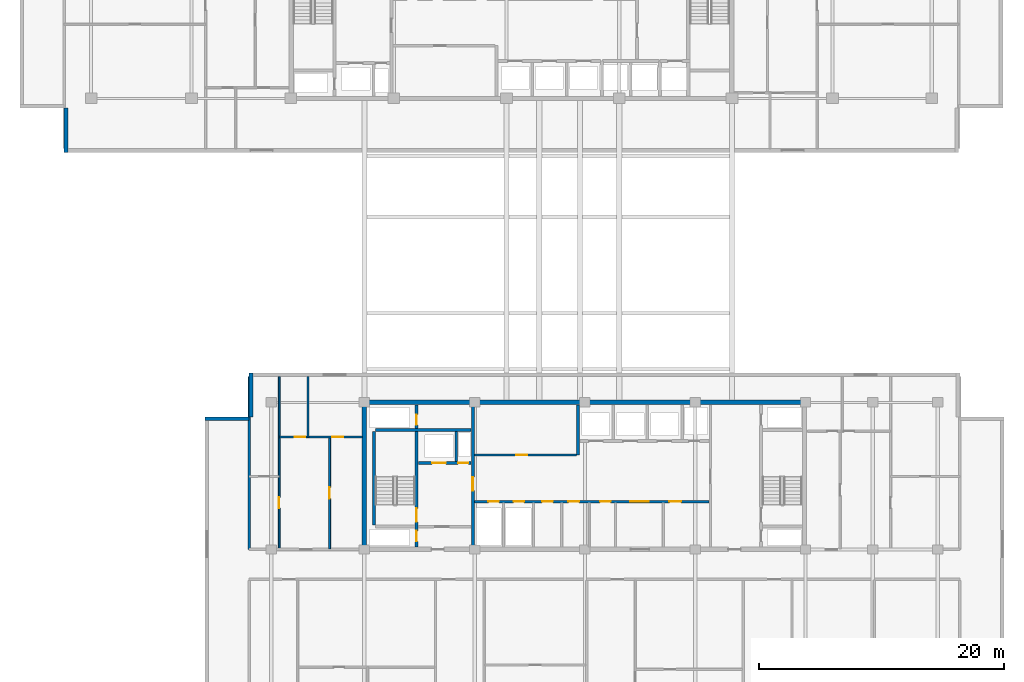
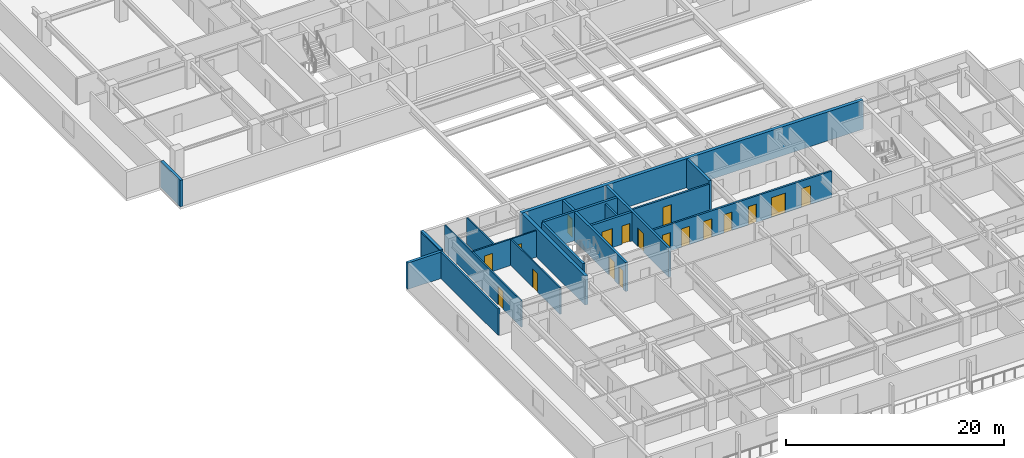
# One storey, part 6 of 21: 19 walls, 18 doors, 18 openings.
"""IFC4 building model written with IfcOpenShell, lengths in metres."""

from ifc_helpers import new_model, si_unit, direction, frame, frame_2d, origin, place, context, subcontext, project, spatial, rectangle, extrude, material, layer, layer_set, type_object, element, fill, save


model = new_model("IFC4")

# Units and contexts
model_context = context("Model", 3, precision=1e-05, world=origin(), true_north=direction((0.0, 1.0)))
body_context = subcontext(model_context, "Body", "Model", "MODEL_VIEW")
ifc_project = project(units=[si_unit("LENGTHUNIT", "METRE"), si_unit("AREAUNIT", "SQUARE_METRE"), si_unit("VOLUMEUNIT", "CUBIC_METRE"), si_unit("PLANEANGLEUNIT", "RADIAN"), si_unit("MASSUNIT", "GRAM", prefix="KILO")], contexts=[model_context])

# Site, building, storey
site_placement = place(None, origin())
site = spatial("IfcSite", under=ifc_project, at=site_placement, CompositionType="ELEMENT")
building_placement = place(site_placement, origin())
building = spatial("IfcBuilding", under=site, at=building_placement, Name="Korimba Cascade Residences", CompositionType="ELEMENT")
storey_placement = place(building_placement, frame((0.0, 0.0, 136.050048828125)))
storey = spatial("IfcBuildingStorey", under=building, at=storey_placement, Name="L39", CompositionType="ELEMENT", Elevation=136.050048828125)

# Walls
ifc_material_1 = material(Name="Precast concrete C40/50", Category="concrete")
ifc_layer_1 = layer(ifc_material_1, 0.300048828125)
ifc_layer_set_1 = layer_set([ifc_layer_1], Name="Precast concrete C40/50")
wall_type_1 = type_object("IfcWallType", Name="EW-STONE-300", PredefinedType="STANDARD", material=ifc_layer_set_1)
wall_1_placement = place(storey_placement, frame((57.75, 54.39990234375, 0.0), z_axis=(0.0, 0.0, 1.0), x_axis=(0.0, -1.0, 0.0)))
element("IfcWall", 1, at=wall_1_placement, inside=storey, type_object=wall_type_1, Name="L39 T1 Perimeter Stone Wall E11", PredefinedType="STANDARD", context=body_context, shape_type="SweptSolid", body=[
    extrude(rectangle(XDim=3.599853515625, YDim=0.300048828125, at=frame_2d((1.7998046875, 0.0))), origin(), (0.0, 0.0, 1.0), 2.9599609375),
])
wall_2_placement = place(storey_placement, frame((72.85009765625, 32.800048828125, 0.0), z_axis=(0.0, 0.0, 1.0), x_axis=(0.0, -1.0, 0.0)))
element("IfcWall", 2, at=wall_2_placement, inside=storey, type_object=wall_type_1, Name="L39 T2 Perimeter Stone Wall E07", PredefinedType="STANDARD", context=body_context, shape_type="SweptSolid", body=[
    extrude(rectangle(XDim=3.60009765625, YDim=0.300048828125, at=frame_2d((1.800048828125, 0.0))), origin(), (0.0, 0.0, 1.0), 2.9599609375),
])
wall_3_placement = place(storey_placement, frame((72.699951171875, 29.050048828125, 0.0), z_axis=(0.0, 0.0, 1.0), x_axis=(-1.0, 0.0, 0.0)))
element("IfcWall", 3, at=wall_3_placement, inside=storey, type_object=wall_type_1, Name="L39 T2 Perimeter Stone Wall E08", PredefinedType="STANDARD", context=body_context, shape_type="SweptSolid", body=[
    extrude(rectangle(XDim=3.599853515625, YDim=0.300048828125, at=frame_2d((1.7998046875, 0.0))), origin(), (0.0, 0.0, 1.0), 2.9599609375),
])
ifc_material_2 = material(Name="Concrete C65/80", Category="concrete")
ifc_layer_2 = layer(ifc_material_2, 0.35009765625)
ifc_layer_set_2 = layer_set([ifc_layer_2], Name="Concrete C65/80")
wall_type_2 = type_object("IfcWallType", Name="WAL-CORE-350", PredefinedType="SHEAR", material=ifc_layer_set_2)
wall_4_placement = place(storey_placement, frame((81.925048828125, 30.39990234375, 0.0), z_axis=(0.0, 0.0, 1.0), x_axis=(1.0, 0.0, 0.0)))
element("IfcWall", 4, at=wall_4_placement, inside=storey, type_object=wall_type_2, Name="L39 Core Shear Wall CW-L39-T2-N", PredefinedType="SHEAR", context=body_context, shape_type="SweptSolid", body=[
    extrude(rectangle(XDim=36.264892578125, YDim=0.35009765625, at=frame_2d((18.13232421875, 0.0))), origin(), (0.0, 0.0, 1.0), 3.25),
])
wall_5_placement = place(storey_placement, frame((82.10009765625, 18.574951171875, 0.0), z_axis=(0.0, 0.0, 1.0), x_axis=(0.0, 1.0, 0.0)))
element("IfcWall", 5, at=wall_5_placement, inside=storey, type_object=wall_type_2, Name="L39 Core Shear Wall CW-L39-T2-W", PredefinedType="SHEAR", context=body_context, shape_type="SweptSolid", body=[
    extrude(rectangle(XDim=11.650146484375, YDim=0.35009765625, at=frame_2d((5.8251953125, 0.0))), origin(), (0.0, 0.0, 1.0), 3.25),
])
ifc_layer_3 = layer(ifc_material_1, 0.199951171875)
ifc_layer_set_3 = layer_set([ifc_layer_3], Name="Precast concrete C40/50")
wall_type_3 = type_object("IfcWallType", Name="WAL-IT-200", PredefinedType="PARTITIONING", material=ifc_layer_set_3)
wall_6_placement = place(storey_placement, frame((72.699951171875, 18.39990234375, 0.0), z_axis=(0.0, 0.0, 1.0), x_axis=(0.0, 1.0, 0.0)))
element("IfcWall", 6, at=wall_6_placement, inside=storey, type_object=wall_type_3, Name="L39 Partition Wall WAL-L39-T2-FW-WL", PredefinedType="PARTITIONING", context=body_context, shape_type="SweptSolid", body=[
    extrude(rectangle(XDim=14.10009765625, YDim=0.199951171875, at=frame_2d((7.050048828125, 0.0))), origin(), (0.0, 0.0, 1.0), 2.9599609375),
])

# Wall, opening, door
ifc_material_3 = material(Name="Insulated Acoustic Stud Partition", Category="gypsum")
ifc_layer_4 = layer(ifc_material_3, 0.14990234375)
ifc_layer_set_4 = layer_set([ifc_layer_4], Name="Insulated Acoustic Stud Partition")
wall_type_4 = type_object("IfcWallType", Name="WAL-PART-150", PredefinedType="PARTITIONING", material=ifc_layer_set_4)
wall_7_placement = place(storey_placement, frame((75.14990234375, 18.449951171875, 0.0), z_axis=(0.0, 0.0, 1.0), x_axis=(0.0, 1.0, 0.0)))
wall_7 = element("IfcWall", 7, at=wall_7_placement, inside=storey, type_object=wall_type_4, Name="L39 Partition Wall WAL-L39-T2-FW-STV", PredefinedType="PARTITIONING", context=body_context, shape_type="SweptSolid", body=[
    extrude(rectangle(XDim=14.050048828125, YDim=0.14990234375, at=frame_2d((7.02490234375, 0.0))), origin(), (0.0, 0.0, 1.0), 2.9599609375),
])
opening_1_placement = place(wall_7_placement, frame((3.320068359375, 0.0, 0.0)))
opening_1 = element("IfcOpeningElement", 8, at=opening_1_placement, cuts=wall_7, Name="Opening D-IN2", PredefinedType="OPENING", context=body_context, shape_type="SweptSolid", body=[
    extrude(rectangle(XDim=0.8798828125, YDim=2.06005859375, at=frame_2d((0.43994140625, 1.030029296875))), frame((0.0, 0.0849609375, 0.0), z_axis=(0.0, -1.0, 0.0), x_axis=(1.0, 0.0, 0.0)), (0.0, 0.0, 1.0), 0.169921875),
])
ifc_material_4 = material(Name="Acoustic Timber Bedroom Door", Category="wood")
door_type_1 = type_object("IfcDoorType", Name="DR-INT-880", OperationType="NOTDEFINED", PredefinedType="DOOR", material=ifc_material_4)
door_1_placement = place(opening_1_placement, origin())
door_1 = element("IfcDoor", 9, at=door_1_placement, inside=storey, type_object=door_type_1, Name="L39-T2-FW Study Door", OperationType="SINGLE_SWING_LEFT", OverallHeight=2.06005859375, OverallWidth=0.8798828125, PredefinedType="DOOR", context=body_context, shape_type="SweptSolid", body=[
    extrude(rectangle(XDim=0.8798828125, YDim=2.06005859375, at=frame_2d((0.43994140625, 1.030029296875))), frame((0.0, 0.02490234375, 0.0), z_axis=(0.0, -1.0, 0.0), x_axis=(1.0, 0.0, 0.0)), (0.0, 0.0, 1.0), 0.050048828125),
])
fill(opening_1, door_1)

wall_8_placement = place(storey_placement, frame((79.27001953125, 18.449951171875, 0.0), z_axis=(0.0, 0.0, 1.0), x_axis=(0.0, 1.0, 0.0)))
wall_8 = element("IfcWall", 10, at=wall_8_placement, inside=storey, type_object=wall_type_4, Name="L39 Partition Wall WAL-L39-T2-FW-VS", PredefinedType="PARTITIONING", context=body_context, shape_type="SweptSolid", body=[
    extrude(rectangle(XDim=9.1201171875, YDim=0.14990234375, at=frame_2d((4.56005859375, 0.0))), origin(), (0.0, 0.0, 1.0), 2.9599609375),
])
opening_2_placement = place(wall_8_placement, frame((4.10009765625, 0.0, 0.0)))
opening_2 = element("IfcOpeningElement", 11, at=opening_2_placement, cuts=wall_8, Name="Opening D-IN1", PredefinedType="OPENING", context=body_context, shape_type="SweptSolid", body=[
    extrude(rectangle(XDim=0.919921875, YDim=2.080078125, at=frame_2d((0.4599609375, 1.0400390625))), frame((0.0, 0.0849609375, 0.0), z_axis=(0.0, -1.0, 0.0), x_axis=(1.0, 0.0, 0.0)), (0.0, 0.0, 1.0), 0.169921875),
])
ifc_material_5 = material(Name="Acoustic Timber Living Door", Category="wood")
door_type_2 = type_object("IfcDoorType", Name="DR-INT-920", OperationType="NOTDEFINED", PredefinedType="DOOR", material=ifc_material_5)
door_2_placement = place(opening_2_placement, origin())
door_2 = element("IfcDoor", 12, at=door_2_placement, inside=storey, type_object=door_type_2, Name="L39-T2-FW Living Door", OperationType="SINGLE_SWING_RIGHT", OverallHeight=2.080078125, OverallWidth=0.919921875, PredefinedType="DOOR", context=body_context, shape_type="SweptSolid", body=[
    extrude(rectangle(XDim=0.919921875, YDim=2.080078125, at=frame_2d((0.4599609375, 1.0400390625))), frame((0.0, 0.02490234375, 0.0), z_axis=(0.0, -1.0, 0.0), x_axis=(1.0, 0.0, 0.0)), (0.0, 0.0, 1.0), 0.050048828125),
])
fill(opening_2, door_2)

# Wall
wall_9_placement = place(storey_placement, frame((77.5, 27.570068359375, 0.0), z_axis=(0.0, 0.0, 1.0), x_axis=(0.0, 1.0, 0.0)))
element("IfcWall", 13, at=wall_9_placement, inside=storey, type_object=wall_type_4, Name="L39 Partition Wall WAL-L39-T2-FW-VN", PredefinedType="PARTITIONING", context=body_context, shape_type="SweptSolid", body=[
    extrude(rectangle(XDim=4.929931640625, YDim=0.14990234375, at=frame_2d((2.46484375, 0.0))), origin(), (0.0, 0.0, 1.0), 2.9599609375),
])

# Wall, openings, doors
wall_10_placement = place(storey_placement, frame((75.169921875, 27.570068359375, 0.0), z_axis=(0.0, 0.0, 1.0), x_axis=(1.0, 0.0, 0.0)))
wall_10 = element("IfcWall", 14, at=wall_10_placement, inside=storey, type_object=wall_type_4, Name="L39 Partition Wall WAL-L39-T2-FW-H", PredefinedType="PARTITIONING", context=body_context, shape_type="SweptSolid", body=[
    extrude(rectangle(XDim=6.760009765625, YDim=0.14990234375, at=frame_2d((3.3798828125, 0.0))), origin(), (0.0, 0.0, 1.0), 2.9599609375),
])
opening_3_placement = place(wall_10_placement, frame((1.266357421875, 0.0, 0.0)))
opening_3 = element("IfcOpeningElement", 15, at=opening_3_placement, cuts=wall_10, Name="Opening D-BT1", PredefinedType="OPENING", context=body_context, shape_type="SweptSolid", body=[
    extrude(rectangle(XDim=0.840087890625, YDim=2.0400390625, at=frame_2d((0.419921875, 1.02001953125))), frame((0.0, 0.0849609375, 0.0), z_axis=(0.0, -1.0, 0.0), x_axis=(1.0, 0.0, 0.0)), (0.0, 0.0, 1.0), 0.169921875),
])
opening_4_placement = place(wall_10_placement, frame((4.320068359375, 0.0, 0.0)))
opening_4 = element("IfcOpeningElement", 16, at=opening_4_placement, cuts=wall_10, Name="Opening D-IN2", PredefinedType="OPENING", context=body_context, shape_type="SweptSolid", body=[
    extrude(rectangle(XDim=0.8798828125, YDim=2.06005859375, at=frame_2d((0.43994140625, 1.030029296875))), frame((0.0, 0.0849609375, 0.0), z_axis=(0.0, -1.0, 0.0), x_axis=(1.0, 0.0, 0.0)), (0.0, 0.0, 1.0), 0.169921875),
])
ifc_material_6 = material(Name="Moisture-Resistant Bathroom Timber Door", Category="wood")
door_type_3 = type_object("IfcDoorType", Name="DR-INT-850", OperationType="NOTDEFINED", PredefinedType="DOOR", material=ifc_material_6)
door_3_placement = place(opening_3_placement, origin())
door_3 = element("IfcDoor", 17, at=door_3_placement, inside=storey, type_object=door_type_3, Name="L39-T2-FW Bathroom Door", OperationType="SINGLE_SWING_LEFT", OverallHeight=2.0400390625, OverallWidth=0.840087890625, PredefinedType="DOOR", context=body_context, shape_type="SweptSolid", body=[
    extrude(rectangle(XDim=0.840087890625, YDim=2.0400390625, at=frame_2d((0.419921875, 1.02001953125))), frame((0.0, 0.02490234375, 0.0), z_axis=(0.0, -1.0, 0.0), x_axis=(1.0, 0.0, 0.0)), (0.0, 0.0, 1.0), 0.050048828125),
])
fill(opening_3, door_3)
door_4_placement = place(opening_4_placement, origin())
door_4 = element("IfcDoor", 18, at=door_4_placement, inside=storey, type_object=door_type_1, Name="L39-T2-FW Bedroom Door", OperationType="SINGLE_SWING_RIGHT", OverallHeight=2.06005859375, OverallWidth=0.8798828125, PredefinedType="DOOR", context=body_context, shape_type="SweptSolid", body=[
    extrude(rectangle(XDim=0.8798828125, YDim=2.06005859375, at=frame_2d((0.43994140625, 1.030029296875))), frame((0.0, 0.02490234375, 0.0), z_axis=(0.0, -1.0, 0.0), x_axis=(1.0, 0.0, 0.0)), (0.0, 0.0, 1.0), 0.050048828125),
])
fill(opening_4, door_4)

# Wall
ifc_material_7 = material(Name="Concrete C40/50", Category="concrete")
ifc_layer_5 = layer(ifc_material_7, 0.199951171875)
ifc_layer_set_5 = layer_set([ifc_layer_5], Name="Concrete C40/50")
wall_type_5 = type_object("IfcWallType", Name="WAL-PART-200", PredefinedType="PARTITIONING", material=ifc_layer_set_5)
wall_11_placement = place(storey_placement, frame((89.60009765625, 25.580078125, 0.0), z_axis=(0.0, 0.0, 1.0), x_axis=(0.0, 1.0, 0.0)))
element("IfcWall", 19, at=wall_11_placement, inside=storey, type_object=wall_type_5, Name="L39 Partition Wall CW-L39-T2-FFLDIV", PredefinedType="PARTITIONING", context=body_context, shape_type="SweptSolid", body=[
    extrude(rectangle(XDim=2.419921875, YDim=0.199951171875, at=frame_2d((1.2099609375, 0.0))), origin(), (0.0, 0.0, 1.0), 2.9599609375),
])

# Wall, opening, door
wall_12_placement = place(storey_placement, frame((91.080078125, 26.10009765625, 0.0), z_axis=(0.0, 0.0, 1.0), x_axis=(1.0, 0.0, 0.0)))
wall_12 = element("IfcWall", 20, at=wall_12_placement, inside=storey, type_object=wall_type_5, Name="L39 Partition Wall CW-L39-T2-B1RS", PredefinedType="PARTITIONING", context=body_context, shape_type="SweptSolid", body=[
    extrude(rectangle(XDim=8.33984375, YDim=0.199951171875, at=frame_2d((4.169921875, 0.0))), origin(), (0.0, 0.0, 1.0), 2.9599609375),
])
opening_5_placement = place(wall_12_placement, frame((3.39990234375, 0.0, 0.0)))
opening_5 = element("IfcOpeningElement", 21, at=opening_5_placement, cuts=wall_12, Name="Opening D-ST1", PredefinedType="OPENING", context=body_context, shape_type="SweptSolid", body=[
    extrude(rectangle(XDim=0.919921875, YDim=2.080078125, at=frame_2d((0.4599609375, 1.0400390625))), frame((0.0, 0.10986328125, 0.0), z_axis=(0.0, -1.0, 0.0), x_axis=(1.0, 0.0, 0.0)), (0.0, 0.0, 1.0), 0.219970703125),
])
ifc_material_8 = material(Name="Fire-Rated Core Store Door", Category="wood")
door_type_4 = type_object("IfcDoorType", Name="DR-FD60-920", OperationType="NOTDEFINED", PredefinedType="DOOR", material=ifc_material_8)
door_5_placement = place(opening_5_placement, origin())
door_5 = element("IfcDoor", 22, at=door_5_placement, inside=storey, type_object=door_type_4, Name="L39 T2 Resident Storage Door", OperationType="SINGLE_SWING_RIGHT", OverallHeight=2.080078125, OverallWidth=0.919921875, PredefinedType="DOOR", context=body_context, shape_type="SweptSolid", body=[
    extrude(rectangle(XDim=0.919921875, YDim=2.080078125, at=frame_2d((0.4599609375, 1.0400390625))), frame((0.0, 0.02490234375, 0.0), z_axis=(0.0, -1.0, 0.0), x_axis=(1.0, 0.0, 0.0)), (0.0, 0.0, 1.0), 0.050048828125),
])
fill(opening_5, door_5)

# Wall, openings, doors
wall_13_placement = place(storey_placement, frame((91.080078125, 22.300048828125, 0.0), z_axis=(0.0, 0.0, 1.0), x_axis=(1.0, 0.0, 0.0)))
wall_13 = element("IfcWall", 23, at=wall_13_placement, inside=storey, type_object=wall_type_5, Name="L39 Partition Wall CW-L39-T2-SRVROW", PredefinedType="PARTITIONING", context=body_context, shape_type="SweptSolid", body=[
    extrude(rectangle(XDim=19.139892578125, YDim=0.199951171875, at=frame_2d((9.56982421875, 0.0))), origin(), (0.0, 0.0, 1.0), 2.9599609375),
])
opening_6_placement = place(wall_13_placement, frame((1.14990234375, 0.0, 0.0)))
opening_6 = element("IfcOpeningElement", 24, at=opening_6_placement, cuts=wall_13, Name="Opening D-RS1", PredefinedType="OPENING", context=body_context, shape_type="SweptSolid", body=[
    extrude(rectangle(XDim=0.85009765625, YDim=2.050048828125, at=frame_2d((0.425048828125, 1.02490234375))), frame((0.0, 0.10986328125, 0.0), z_axis=(0.0, -1.0, 0.0), x_axis=(1.0, 0.0, 0.0)), (0.0, 0.0, 1.0), 0.219970703125),
])
opening_7_placement = place(wall_13_placement, frame((3.199951171875, 0.0, 0.0)))
opening_7 = element("IfcOpeningElement", 25, at=opening_7_placement, cuts=wall_13, Name="Opening D-RS1", PredefinedType="OPENING", context=body_context, shape_type="SweptSolid", body=[
    extrude(rectangle(XDim=0.85009765625, YDim=2.050048828125, at=frame_2d((0.425048828125, 1.02490234375))), frame((0.0, 0.10986328125, 0.0), z_axis=(0.0, -1.0, 0.0), x_axis=(1.0, 0.0, 0.0)), (0.0, 0.0, 1.0), 0.219970703125),
])
opening_8_placement = place(wall_13_placement, frame((12.719970703125, 0.0, 0.0)))
opening_8 = element("IfcOpeningElement", 26, at=opening_8_placement, cuts=wall_13, Name="Opening D-FD8", PredefinedType="OPENING", context=body_context, shape_type="SweptSolid", body=[
    extrude(rectangle(XDim=1.5, YDim=2.199951171875, at=frame_2d((0.75, 1.10009765625))), frame((0.0, 0.10986328125, 0.0), z_axis=(0.0, -1.0, 0.0), x_axis=(1.0, 0.0, 0.0)), (0.0, 0.0, 1.0), 0.219970703125),
])
opening_9_placement = place(wall_13_placement, frame((5.52001953125, 0.0, 0.0)))
opening_9 = element("IfcOpeningElement", 27, at=opening_9_placement, cuts=wall_13, Name="Opening D-IN2", PredefinedType="OPENING", context=body_context, shape_type="SweptSolid", body=[
    extrude(rectangle(XDim=0.8798828125, YDim=2.06005859375, at=frame_2d((0.43994140625, 1.030029296875))), frame((0.0, 0.10986328125, 0.0), z_axis=(0.0, -1.0, 0.0), x_axis=(1.0, 0.0, 0.0)), (0.0, 0.0, 1.0), 0.219970703125),
])
opening_10_placement = place(wall_13_placement, frame((7.669921875, 0.0, 0.0)))
opening_10 = element("IfcOpeningElement", 28, at=opening_10_placement, cuts=wall_13, Name="Opening D-IN2", PredefinedType="OPENING", context=body_context, shape_type="SweptSolid", body=[
    extrude(rectangle(XDim=0.8798828125, YDim=2.06005859375, at=frame_2d((0.43994140625, 1.030029296875))), frame((0.0, 0.10986328125, 0.0), z_axis=(0.0, -1.0, 0.0), x_axis=(1.0, 0.0, 0.0)), (0.0, 0.0, 1.0), 0.219970703125),
])
opening_11_placement = place(wall_13_placement, frame((10.27001953125, 0.0, 0.0)))
opening_11 = element("IfcOpeningElement", 29, at=opening_11_placement, cuts=wall_13, Name="Opening D-RS1", PredefinedType="OPENING", context=body_context, shape_type="SweptSolid", body=[
    extrude(rectangle(XDim=0.85009765625, YDim=2.050048828125, at=frame_2d((0.425048828125, 1.02490234375))), frame((0.0, 0.10986328125, 0.0), z_axis=(0.0, -1.0, 0.0), x_axis=(1.0, 0.0, 0.0)), (0.0, 0.0, 1.0), 0.219970703125),
])
opening_12_placement = place(wall_13_placement, frame((15.919921875, 0.0, 0.0)))
opening_12 = element("IfcOpeningElement", 30, at=opening_12_placement, cuts=wall_13, Name="Opening D-AC1", PredefinedType="OPENING", context=body_context, shape_type="SweptSolid", body=[
    extrude(rectangle(XDim=0.9599609375, YDim=2.10009765625, at=frame_2d((0.47998046875, 1.050048828125))), frame((0.0, 0.10986328125, 0.0), z_axis=(0.0, -1.0, 0.0), x_axis=(1.0, 0.0, 0.0)), (0.0, 0.0, 1.0), 0.219970703125),
])
ifc_material_9 = material(Name="Accessible Acoustic Timber WC Door", Category="wood")
door_type_5 = type_object("IfcDoorType", Name="DR-ACC-950", OperationType="NOTDEFINED", PredefinedType="DOOR", material=ifc_material_9)
door_6_placement = place(opening_12_placement, origin())
door_6 = element("IfcDoor", 31, at=door_6_placement, inside=storey, type_object=door_type_5, Name="L39 T2 Accessible Staff WC Door", OperationType="SINGLE_SWING_LEFT", OverallHeight=2.10009765625, OverallWidth=0.9599609375, PredefinedType="DOOR", context=body_context, shape_type="SweptSolid", body=[
    extrude(rectangle(XDim=0.9599609375, YDim=2.10009765625, at=frame_2d((0.47998046875, 1.050048828125))), frame((0.0, 0.02490234375, 0.0), z_axis=(0.0, -1.0, 0.0), x_axis=(1.0, 0.0, 0.0)), (0.0, 0.0, 1.0), 0.050048828125),
])
fill(opening_12, door_6)
ifc_material_10 = material(Name="Fire-Rated Steel Riser Access Door", Category="steel")
door_type_6 = type_object("IfcDoorType", Name="DR-FD60-850", OperationType="NOTDEFINED", PredefinedType="DOOR", material=ifc_material_10)
door_7_placement = place(opening_6_placement, origin())
door_7 = element("IfcDoor", 32, at=door_7_placement, inside=storey, type_object=door_type_6, Name="L39 T2 Electrical Riser Door", OperationType="SINGLE_SWING_RIGHT", OverallHeight=2.050048828125, OverallWidth=0.85009765625, PredefinedType="DOOR", context=body_context, shape_type="SweptSolid", body=[
    extrude(rectangle(XDim=0.85009765625, YDim=2.050048828125, at=frame_2d((0.425048828125, 1.02490234375))), frame((0.0, 0.02490234375, 0.0), z_axis=(0.0, -1.0, 0.0), x_axis=(1.0, 0.0, 0.0)), (0.0, 0.0, 1.0), 0.050048828125),
])
fill(opening_6, door_7)
door_8_placement = place(opening_7_placement, origin())
door_8 = element("IfcDoor", 33, at=door_8_placement, inside=storey, type_object=door_type_6, Name="L39 T2 Plumbing Riser Door", OperationType="SINGLE_SWING_LEFT", OverallHeight=2.050048828125, OverallWidth=0.85009765625, PredefinedType="DOOR", context=body_context, shape_type="SweptSolid", body=[
    extrude(rectangle(XDim=0.85009765625, YDim=2.050048828125, at=frame_2d((0.425048828125, 1.02490234375))), frame((0.0, 0.02490234375, 0.0), z_axis=(0.0, -1.0, 0.0), x_axis=(1.0, 0.0, 0.0)), (0.0, 0.0, 1.0), 0.050048828125),
])
fill(opening_7, door_8)
door_9_placement = place(opening_11_placement, origin())
door_9 = element("IfcDoor", 34, at=door_9_placement, inside=storey, type_object=door_type_6, Name="L39 T2 IT Room Door", OperationType="SINGLE_SWING_RIGHT", OverallHeight=2.050048828125, OverallWidth=0.85009765625, PredefinedType="DOOR", context=body_context, shape_type="SweptSolid", body=[
    extrude(rectangle(XDim=0.85009765625, YDim=2.050048828125, at=frame_2d((0.425048828125, 1.02490234375))), frame((0.0, 0.02490234375, 0.0), z_axis=(0.0, -1.0, 0.0), x_axis=(1.0, 0.0, 0.0)), (0.0, 0.0, 1.0), 0.050048828125),
])
fill(opening_11, door_9)
ifc_material_11 = material(Name="Fire-Rated Glazed Lift Lobby Double Door", Category="glass")
door_type_7 = type_object("IfcDoorType", Name="DR-FD90-1500", OperationType="NOTDEFINED", PredefinedType="DOOR", material=ifc_material_11)
door_10_placement = place(opening_8_placement, origin())
door_10 = element("IfcDoor", 35, at=door_10_placement, inside=storey, type_object=door_type_7, Name="L39 T2 Lift Lobby Foyer Door", OperationType="DOUBLE_DOOR_SINGLE_SWING", OverallHeight=2.199951171875, OverallWidth=1.5, PredefinedType="DOOR", context=body_context, shape_type="SweptSolid", body=[
    extrude(rectangle(XDim=1.5, YDim=2.199951171875, at=frame_2d((0.75, 1.10009765625))), frame((0.0, 0.02490234375, 0.0), z_axis=(0.0, -1.0, 0.0), x_axis=(1.0, 0.0, 0.0)), (0.0, 0.0, 1.0), 0.050048828125),
])
fill(opening_8, door_10)
door_11_placement = place(opening_9_placement, origin())
door_11 = element("IfcDoor", 36, at=door_11_placement, inside=storey, type_object=door_type_1, Name="L39 T2 Cleaners Door", OperationType="SINGLE_SWING_RIGHT", OverallHeight=2.06005859375, OverallWidth=0.8798828125, PredefinedType="DOOR", context=body_context, shape_type="SweptSolid", body=[
    extrude(rectangle(XDim=0.8798828125, YDim=2.06005859375, at=frame_2d((0.43994140625, 1.030029296875))), frame((0.0, 0.02490234375, 0.0), z_axis=(0.0, -1.0, 0.0), x_axis=(1.0, 0.0, 0.0)), (0.0, 0.0, 1.0), 0.050048828125),
])
fill(opening_9, door_11)
door_12_placement = place(opening_10_placement, origin())
door_12 = element("IfcDoor", 37, at=door_12_placement, inside=storey, type_object=door_type_1, Name="L39 T2 Pantry Door", OperationType="SINGLE_SWING_LEFT", OverallHeight=2.06005859375, OverallWidth=0.8798828125, PredefinedType="DOOR", context=body_context, shape_type="SweptSolid", body=[
    extrude(rectangle(XDim=0.8798828125, YDim=2.06005859375, at=frame_2d((0.43994140625, 1.030029296875))), frame((0.0, 0.02490234375, 0.0), z_axis=(0.0, -1.0, 0.0), x_axis=(1.0, 0.0, 0.0)), (0.0, 0.0, 1.0), 0.050048828125),
])
fill(opening_10, door_12)

# Wall
ifc_material_12 = material(Name="Concrete C50/60", Category="concrete")
ifc_layer_6 = layer(ifc_material_12, 0.25)
ifc_layer_set_6 = layer_set([ifc_layer_6], Name="Concrete C50/60")
wall_type_6 = type_object("IfcWallType", Name="WAL-SHAFT-250", PredefinedType="SHEAR", material=ifc_layer_set_6)
wall_14_placement = place(storey_placement, frame((82.875, 20.39990234375, 0.0), z_axis=(0.0, 0.0, 1.0), x_axis=(0.0, 1.0, 0.0)))
element("IfcWall", 38, at=wall_14_placement, inside=storey, type_object=wall_type_6, Name="L39 Core Shear Wall CW-L39-T2-STE1W", PredefinedType="SHEAR", context=body_context, shape_type="SweptSolid", body=[
    extrude(rectangle(XDim=7.60009765625, YDim=0.25, at=frame_2d((3.800048828125, 0.0))), origin(), (0.0, 0.0, 1.0), 3.25),
])

# Wall, openings, doors
wall_15_placement = place(storey_placement, frame((86.364990234375, 18.60009765625, 0.0), z_axis=(0.0, 0.0, 1.0), x_axis=(0.0, 1.0, 0.0)))
wall_15 = element("IfcWall", 39, at=wall_15_placement, inside=storey, type_object=wall_type_6, Name="L39 Core Shear Wall CW-L39-T2-STE1E", PredefinedType="SHEAR", context=body_context, shape_type="SweptSolid", body=[
    extrude(rectangle(XDim=11.599853515625, YDim=0.25, at=frame_2d((5.7998046875, 0.0))), origin(), (0.0, 0.0, 1.0), 3.25),
])
opening_13_placement = place(wall_15_placement, frame((0.449951171875, 0.0, 0.0)))
opening_13 = element("IfcOpeningElement", 40, at=opening_13_placement, cuts=wall_15, Name="Opening D-RS1", PredefinedType="OPENING", context=body_context, shape_type="SweptSolid", body=[
    extrude(rectangle(XDim=0.85009765625, YDim=2.050048828125, at=frame_2d((0.425048828125, 1.02490234375))), frame((0.0, 0.135009765625, 0.0), z_axis=(0.0, -1.0, 0.0), x_axis=(1.0, 0.0, 0.0)), (0.0, 0.0, 1.0), 0.27001953125),
])
opening_14_placement = place(wall_15_placement, frame((2.050048828125, 0.0, 0.0)))
opening_14 = element("IfcOpeningElement", 41, at=opening_14_placement, cuts=wall_15, Name="Opening D-FD1", PredefinedType="OPENING", context=body_context, shape_type="SweptSolid", body=[
    extrude(rectangle(XDim=1.10009765625, YDim=2.10009765625, at=frame_2d((0.550048828125, 1.050048828125))), frame((0.0, 0.135009765625, 0.0), z_axis=(0.0, -1.0, 0.0), x_axis=(1.0, 0.0, 0.0)), (0.0, 0.0, 1.0), 0.27001953125),
])
opening_15_placement = place(wall_15_placement, frame((9.949951171875, 0.0, 0.0)))
opening_15 = element("IfcOpeningElement", 42, at=opening_15_placement, cuts=wall_15, Name="Opening D-RS1", PredefinedType="OPENING", context=body_context, shape_type="SweptSolid", body=[
    extrude(rectangle(XDim=0.85009765625, YDim=2.050048828125, at=frame_2d((0.425048828125, 1.02490234375))), frame((0.0, 0.135009765625, 0.0), z_axis=(0.0, -1.0, 0.0), x_axis=(1.0, 0.0, 0.0)), (0.0, 0.0, 1.0), 0.27001953125),
])
ifc_material_13 = material(Name="Fire-Rated Steel Core Door", Category="steel")
door_type_8 = type_object("IfcDoorType", Name="DR-FD120-1100", OperationType="NOTDEFINED", PredefinedType="DOOR", material=ifc_material_13)
door_13_placement = place(opening_14_placement, origin())
door_13 = element("IfcDoor", 43, at=door_13_placement, inside=storey, type_object=door_type_8, Name="L39 Fire Stair ST-E1 Door", OperationType="SINGLE_SWING_LEFT", OverallHeight=2.10009765625, OverallWidth=1.10009765625, PredefinedType="DOOR", context=body_context, shape_type="SweptSolid", body=[
    extrude(rectangle(XDim=1.10009765625, YDim=2.10009765625, at=frame_2d((0.550048828125, 1.050048828125))), frame((0.0, 0.02490234375, 0.0), z_axis=(0.0, -1.0, 0.0), x_axis=(1.0, 0.0, 0.0)), (0.0, 0.0, 1.0), 0.050048828125),
])
fill(opening_14, door_13)
door_14_placement = place(opening_13_placement, origin())
door_14 = element("IfcDoor", 44, at=door_14_placement, inside=storey, type_object=door_type_6, Name="L39 T2 Hydrant Riser Door", OperationType="SINGLE_SWING_RIGHT", OverallHeight=2.050048828125, OverallWidth=0.85009765625, PredefinedType="DOOR", context=body_context, shape_type="SweptSolid", body=[
    extrude(rectangle(XDim=0.85009765625, YDim=2.050048828125, at=frame_2d((0.425048828125, 1.02490234375))), frame((0.0, 0.02490234375, 0.0), z_axis=(0.0, -1.0, 0.0), x_axis=(1.0, 0.0, 0.0)), (0.0, 0.0, 1.0), 0.050048828125),
])
fill(opening_13, door_14)
door_15_placement = place(opening_15_placement, origin())
door_15 = element("IfcDoor", 45, at=door_15_placement, inside=storey, type_object=door_type_6, Name="L39 T2 Smoke Shaft Door", OperationType="SINGLE_SWING_RIGHT", OverallHeight=2.050048828125, OverallWidth=0.85009765625, PredefinedType="DOOR", context=body_context, shape_type="SweptSolid", body=[
    extrude(rectangle(XDim=0.85009765625, YDim=2.050048828125, at=frame_2d((0.425048828125, 1.02490234375))), frame((0.0, 0.02490234375, 0.0), z_axis=(0.0, -1.0, 0.0), x_axis=(1.0, 0.0, 0.0)), (0.0, 0.0, 1.0), 0.050048828125),
])
fill(opening_15, door_15)

# Wall
wall_16_placement = place(storey_placement, frame((83.0, 28.125, 0.0), z_axis=(0.0, 0.0, 1.0), x_axis=(1.0, 0.0, 0.0)))
element("IfcWall", 46, at=wall_16_placement, inside=storey, type_object=wall_type_6, Name="L39 Core Shear Wall CW-L39-T2-STE1N", PredefinedType="SHEAR", context=body_context, shape_type="SweptSolid", body=[
    extrude(rectangle(XDim=7.820068359375, YDim=0.25, at=frame_2d((3.91015625, 0.0))), origin(), (0.0, 0.0, 1.0), 3.25),
])

# Wall, openings, doors
wall_17_placement = place(storey_placement, frame((86.5, 25.449951171875, 0.0), z_axis=(0.0, 0.0, 1.0), x_axis=(1.0, 0.0, 0.0)))
wall_17 = element("IfcWall", 47, at=wall_17_placement, inside=storey, type_object=wall_type_6, Name="L39 Core Shear Wall CW-L39-T2-FFLN", PredefinedType="SHEAR", context=body_context, shape_type="SweptSolid", body=[
    extrude(rectangle(XDim=4.320068359375, YDim=0.25, at=frame_2d((2.16015625, 0.0))), origin(), (0.0, 0.0, 1.0), 3.25),
])
opening_16_placement = place(wall_17_placement, frame((1.139892578125, 0.0, 0.0)))
opening_16 = element("IfcOpeningElement", 48, at=opening_16_placement, cuts=wall_17, Name="Opening LD-01", PredefinedType="OPENING", context=body_context, shape_type="SweptSolid", body=[
    extrude(rectangle(XDim=1.1201171875, YDim=2.1201171875, at=frame_2d((0.56005859375, 1.06005859375))), frame((0.0, 0.135009765625, 0.0), z_axis=(0.0, -1.0, 0.0), x_axis=(1.0, 0.0, 0.0)), (0.0, 0.0, 1.0), 0.27001953125),
])
opening_17_placement = place(wall_17_placement, frame((3.25, 0.0, 0.0)))
opening_17 = element("IfcOpeningElement", 49, at=opening_17_placement, cuts=wall_17, Name="Opening D-RS1", PredefinedType="OPENING", context=body_context, shape_type="SweptSolid", body=[
    extrude(rectangle(XDim=0.85009765625, YDim=2.050048828125, at=frame_2d((0.425048828125, 1.02490234375))), frame((0.0, 0.135009765625, 0.0), z_axis=(0.0, -1.0, 0.0), x_axis=(1.0, 0.0, 0.0)), (0.0, 0.0, 1.0), 0.27001953125),
])
door_16_placement = place(opening_17_placement, origin())
door_16 = element("IfcDoor", 50, at=door_16_placement, inside=storey, type_object=door_type_6, Name="L39 T2 Pressurisation Riser Door", OperationType="SINGLE_SWING_LEFT", OverallHeight=2.050048828125, OverallWidth=0.85009765625, PredefinedType="DOOR", context=body_context, shape_type="SweptSolid", body=[
    extrude(rectangle(XDim=0.85009765625, YDim=2.050048828125, at=frame_2d((0.425048828125, 1.02490234375))), frame((0.0, 0.02490234375, 0.0), z_axis=(0.0, -1.0, 0.0), x_axis=(1.0, 0.0, 0.0)), (0.0, 0.0, 1.0), 0.050048828125),
])
fill(opening_17, door_16)
ifc_material_14 = material(Name="Stainless Steel Lift Landing Sliding Door", Category="steel")
door_type_9 = type_object("IfcDoorType", Name="DR-LIFT-1100", OperationType="NOTDEFINED", PredefinedType="DOOR", material=ifc_material_14)
door_17_placement = place(opening_16_placement, origin())
door_17 = element("IfcDoor", 51, at=door_17_placement, inside=storey, type_object=door_type_9, Name="L39 Firefighting Lift Landing Door FFL-E1", OperationType="SLIDING_TO_RIGHT", OverallHeight=2.1201171875, OverallWidth=1.1201171875, PredefinedType="DOOR", context=body_context, shape_type="SweptSolid", body=[
    extrude(rectangle(XDim=1.1201171875, YDim=2.1201171875, at=frame_2d((0.56005859375, 1.06005859375))), frame((0.0, 0.02490234375, 0.0), z_axis=(0.0, -1.0, 0.0), x_axis=(1.0, 0.0, 0.0)), (0.0, 0.0, 1.0), 0.050048828125),
])
fill(opening_16, door_17)

# Wall, opening, door
wall_18_placement = place(storey_placement, frame((90.949951171875, 18.60009765625, 0.0), z_axis=(0.0, 0.0, 1.0), x_axis=(0.0, 1.0, 0.0)))
wall_18 = element("IfcWall", 52, at=wall_18_placement, inside=storey, type_object=wall_type_6, Name="L39 Core Shear Wall CW-L39-T2-FFLE", PredefinedType="SHEAR", context=body_context, shape_type="SweptSolid", body=[
    extrude(rectangle(XDim=11.599853515625, YDim=0.25, at=frame_2d((5.7998046875, 0.0))), origin(), (0.0, 0.0, 1.0), 3.25),
])
opening_18_placement = place(wall_18_placement, frame((4.60009765625, 0.0, 0.0)))
opening_18 = element("IfcOpeningElement", 53, at=opening_18_placement, cuts=wall_18, Name="Opening D-FD1", PredefinedType="OPENING", context=body_context, shape_type="SweptSolid", body=[
    extrude(rectangle(XDim=1.10009765625, YDim=2.10009765625, at=frame_2d((0.550048828125, 1.050048828125))), frame((0.0, 0.135009765625, 0.0), z_axis=(0.0, -1.0, 0.0), x_axis=(1.0, 0.0, 0.0)), (0.0, 0.0, 1.0), 0.27001953125),
])
door_18_placement = place(opening_18_placement, origin())
door_18 = element("IfcDoor", 54, at=door_18_placement, inside=storey, type_object=door_type_8, Name="L39 T2 Firefighting Lobby to Lift Lobby Door", OperationType="SINGLE_SWING_LEFT", OverallHeight=2.10009765625, OverallWidth=1.10009765625, PredefinedType="DOOR", context=body_context, shape_type="SweptSolid", body=[
    extrude(rectangle(XDim=1.10009765625, YDim=2.10009765625, at=frame_2d((0.550048828125, 1.050048828125))), frame((0.0, 0.02490234375, 0.0), z_axis=(0.0, -1.0, 0.0), x_axis=(1.0, 0.0, 0.0)), (0.0, 0.0, 1.0), 0.050048828125),
])
fill(opening_18, door_18)

# Wall
wall_19_placement = place(storey_placement, frame((99.550048828125, 26.10009765625, 0.0), z_axis=(0.0, 0.0, 1.0), x_axis=(0.0, 1.0, 0.0)))
element("IfcWall", 55, at=wall_19_placement, inside=storey, type_object=wall_type_6, Name="L39 Core Shear Wall CW-L39-T2-B12DIV", PredefinedType="SHEAR", context=body_context, shape_type="SweptSolid", body=[
    extrude(rectangle(XDim=4.099853515625, YDim=0.25, at=frame_2d((2.0498046875, 0.0))), origin(), (0.0, 0.0, 1.0), 3.25),
])

save(model, "model.ifc")
